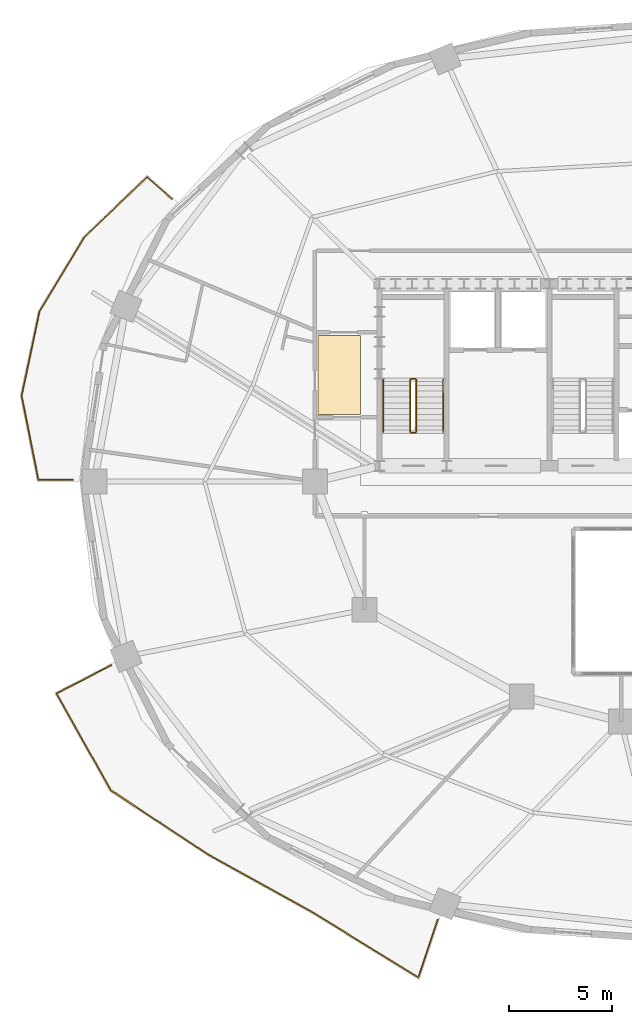
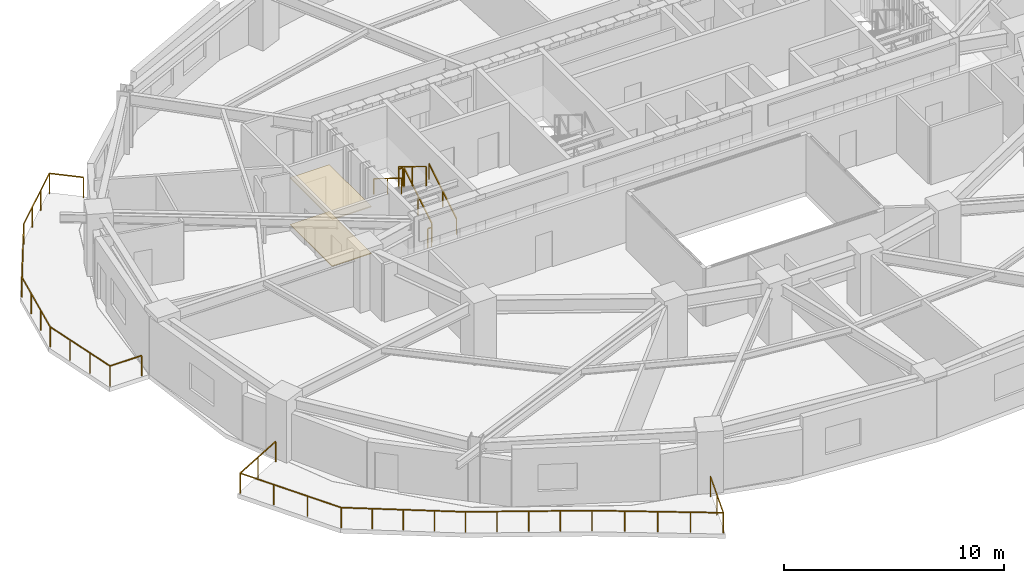
# One storey, part 10 of 13: 8 railings, 2 coverings.
"""IFC4 building model written with IfcOpenShell, lengths in metres."""

import ifcopenshell
import ifcopenshell.guid

model = None  # the IFC model being written
_history = None  # IfcOwnerHistory: only IFC2X3 demands one
_inside = {}  # id of a spatial element -> (the spatial element, [elements in it])
_under = {}  # id of a project, library or spatial element -> (it, [spatial elements below it])
_declared = {}  # id of a project -> (the project, [libraries it declares])
_typed = {}  # id of a type object -> (the type object, [elements of that type])
_made_of = {}  # id of a material, layer set ... -> (it, [elements and type objects made of it])


def new_model(schema):
    """Start an empty IFC model of exactly this schema.

    Asked for "IFC4X3", IfcOpenShell would pick the latest addendum, in which some entities
    have other attributes; the version numbers below select the first issue.
    IFC2X3 requires an IfcOwnerHistory on every rooted entity: one is made here for all.
    """
    global model, _history
    if schema == "IFC4X3":
        model = ifcopenshell.file(schema_version=(4, 3, 0, 0))
    else:
        model = ifcopenshell.file(schema=schema)
    _inside.clear()
    _under.clear()
    _declared.clear()
    _typed.clear()
    _made_of.clear()
    _history = None
    if model.schema == "IFC2X3":
        org = make("IfcOrganization", Name="unknown")
        user = make(
            "IfcPersonAndOrganization",
            ThePerson=make("IfcPerson", FamilyName="unknown"),
            TheOrganization=org,
        )
        app = make(
            "IfcApplication",
            ApplicationDeveloper=org,
            Version="unknown",
            ApplicationFullName="unknown",
            ApplicationIdentifier="unknown",
        )
        _history = make(
            "IfcOwnerHistory",
            OwningUser=user,
            OwningApplication=app,
            ChangeAction="ADDED",
            CreationDate=0,
        )
    return model


def make(cls, **values):
    """One entity of the class cls with the attributes given. An attribute that is None is left unset."""
    return model.create_entity(
        cls, **{name: value for name, value in values.items() if value is not None}
    )


def rooted(cls, **values):
    """An entity with a GlobalId (a new one), such as an element, a storey or a relation."""
    return make(cls, GlobalId=ifcopenshell.guid.new(), OwnerHistory=_history, **values)


def si_unit(unit_type, name, prefix=None):
    """IfcSIUnit, for example si_unit("LENGTHUNIT", "METRE", prefix="MILLI")."""
    return make("IfcSIUnit", UnitType=unit_type, Prefix=prefix, Name=name)


def assignment(units):
    """IfcUnitAssignment: the units of a project."""
    return None if units is None else make("IfcUnitAssignment", Units=units)


def point(xyz):
    """IfcCartesianPoint."""
    return None if xyz is None else make("IfcCartesianPoint", Coordinates=xyz)


def direction(xyz):
    """IfcDirection."""
    return None if xyz is None else make("IfcDirection", DirectionRatios=xyz)


def frame(location, z_axis=None, x_axis=None):
    """IfcAxis2Placement3D, a coordinate frame: its origin and axes. An axis left out is left unset."""
    return make(
        "IfcAxis2Placement3D",
        Location=point(location),
        Axis=direction(z_axis),
        RefDirection=direction(x_axis),
    )


def frame_2d(location, x_axis=None):
    """IfcAxis2Placement2D, a coordinate frame in the plane: its origin and x axis."""
    return make(
        "IfcAxis2Placement2D", Location=point(location), RefDirection=direction(x_axis)
    )


def origin():
    """The frame at (0, 0, 0) with its axes left unset."""
    return frame((0.0, 0.0, 0.0))


def origin_2d():
    """The frame at (0, 0) in the plane with its x axis left unset."""
    return frame_2d((0.0, 0.0))


def place(relative_to, where):
    """IfcLocalPlacement: puts the frame where relative to a parent placement (None: the world)."""
    return make(
        "IfcLocalPlacement", PlacementRelTo=relative_to, RelativePlacement=where
    )


def context(
    kind, dimensions, precision=None, world=None, true_north=None, identifier=None
):
    """IfcGeometricRepresentationContext, for example the 3D "Model" context."""
    return make(
        "IfcGeometricRepresentationContext",
        ContextIdentifier=identifier,
        ContextType=kind,
        CoordinateSpaceDimension=dimensions,
        Precision=precision,
        WorldCoordinateSystem=world,
        TrueNorth=true_north,
    )


def subcontext(parent, identifier, kind, view, scale=None):
    """IfcGeometricRepresentationSubContext, for example "Body" below "Model"."""
    return make(
        "IfcGeometricRepresentationSubContext",
        ContextIdentifier=identifier,
        ContextType=kind,
        ParentContext=parent,
        TargetScale=scale,
        TargetView=view,
    )


def project(units=None, contexts=None):
    """IfcProject with its units and contexts."""
    return rooted(
        "IfcProject",
        Name="project",
        RepresentationContexts=contexts,
        UnitsInContext=assignment(units),
    )


def spatial(cls, under=None, at=None, **own):
    """A site, building, storey or space (cls), placed at a placement, below another one or the project."""
    s = rooted(cls, ObjectPlacement=at, **own)
    if under is not None:
        _under.setdefault(under.id(), (under, []))[1].append(s)
    return s


def polyline(points):
    """IfcPolyline through the points."""
    return make("IfcPolyline", Points=[point(p) for p in points])


def profile(cls, at=None, kind="AREA", **sizes):
    """A parametric profile (cls). Its sizes go by their IFC names, for example OverallWidth=200.0."""
    return make(cls, ProfileType=kind, Position=at, **sizes)


def rectangle(**sizes):
    """IfcRectangleProfileDef."""
    return profile("IfcRectangleProfileDef", **sizes)


def outline(outer, holes=None, kind="AREA"):
    """IfcArbitraryClosedProfileDef: a profile drawn as a closed curve; with holes, ...WithVoids."""
    if holes is None:
        return make("IfcArbitraryClosedProfileDef", ProfileType=kind, OuterCurve=outer)
    return make(
        "IfcArbitraryProfileDefWithVoids",
        ProfileType=kind,
        OuterCurve=outer,
        InnerCurves=holes,
    )


def extrude(swept, where, along, depth):
    """IfcExtrudedAreaSolid: the profile swept, set in the frame where, extruded along a direction by depth."""
    return make(
        "IfcExtrudedAreaSolid",
        SweptArea=swept,
        Position=where,
        ExtrudedDirection=direction(along),
        Depth=depth,
    )


def shape(context_of_items, identifier, shape_type, items):
    """IfcShapeRepresentation: the items that make up one representation, for example the "Body"."""
    return make(
        "IfcShapeRepresentation",
        ContextOfItems=context_of_items,
        RepresentationIdentifier=identifier,
        RepresentationType=shape_type,
        Items=items,
    )


def material(Name=None, Category=None):
    """IfcMaterial."""
    return make("IfcMaterial", Name=Name, Category=Category)


def layer(
    of_material, thickness, ventilated=None, Name=None, Category=None, Priority=None
):
    """IfcMaterialLayer: one layer of a wall or slab, of a material (None: an air gap)."""
    return make(
        "IfcMaterialLayer",
        Material=of_material,
        LayerThickness=thickness,
        IsVentilated=ventilated,
        Name=Name,
        Category=Category,
        Priority=Priority,
    )


def layer_set(layers, Name=None):
    """IfcMaterialLayerSet."""
    return make("IfcMaterialLayerSet", MaterialLayers=layers, LayerSetName=Name)


def made_of(thing, what):
    """Note that an element or type object is made of a material, layer set ...; save() writes the relation."""
    if what is not None:
        _made_of.setdefault(what.id(), (what, []))[1].append(thing)
    return thing


def type_object(cls, material=None, **own):
    """A type object (cls), such as IfcWallType, which elements share."""
    return made_of(rooted(cls, **own), material)


def element(
    cls,
    number,
    at=None,
    inside=None,
    cuts=None,
    type_object=None,
    material=None,
    context=None,
    identifier="Body",
    shape_type=None,
    held_by="IfcProductDefinitionShape",
    body=None,
    shapes=None,
    **own,
):
    """One element of the class cls, such as IfcWall. Its Tag is "e" and its number.

    at: its placement. inside: the storey or other place that contains it. cuts: it is an
    opening in that element (IfcRelVoidsElement). A single representation is given by context,
    identifier, shape_type and body (its items); several are given by shapes. held_by: the class
    of the entity that holds the representations. save() writes the other relations.
    """
    e = rooted(cls, Tag="e%d" % number, ObjectPlacement=at, **own)
    if body is not None:
        shapes = [shape(context, identifier, shape_type, body)]
    if shapes is not None:
        e.Representation = make(held_by, Representations=shapes)
    if inside is not None:
        _inside.setdefault(inside.id(), (inside, []))[1].append(e)
    if cuts is not None:
        rooted(
            "IfcRelVoidsElement", RelatingBuildingElement=cuts, RelatedOpeningElement=e
        )
    if type_object is not None:
        _typed.setdefault(type_object.id(), (type_object, []))[1].append(e)
    return made_of(e, material)


def aggregate(whole, parts):
    """IfcRelAggregates: a whole, such as a stair, and the parts it consists of."""
    return rooted("IfcRelAggregates", RelatingObject=whole, RelatedObjects=parts)


def save(model, path):
    """Write the relations noted so far, then the file.

    IfcRelAggregates (storeys below a building ...), IfcRelContainedInSpatialStructure (elements
    in a storey), IfcRelDefinesByType, IfcRelAssociatesMaterial and IfcRelDeclares: one each for
    every whole, place, type object, material and project.
    """
    for whole, parts in _under.values():
        aggregate(whole, parts)
    for where, things in _inside.values():
        rooted(
            "IfcRelContainedInSpatialStructure",
            RelatedElements=things,
            RelatingStructure=where,
        )
    for kind, things in _typed.values():
        rooted("IfcRelDefinesByType", RelatedObjects=things, RelatingType=kind)
    for what, things in _made_of.values():
        rooted("IfcRelAssociatesMaterial", RelatedObjects=things, RelatingMaterial=what)
    for by, libraries in _declared.values():
        rooted("IfcRelDeclares", RelatingContext=by, RelatedDefinitions=libraries)
    model.write(path)


model = new_model("IFC4")

# Units and contexts
model_context = context("Model", 3, precision=1e-05, world=origin(), true_north=direction((0.0, 1.0)))
body_context = subcontext(model_context, "Body", "Model", "MODEL_VIEW")
ifc_project = project(units=[si_unit("LENGTHUNIT", "METRE"), si_unit("AREAUNIT", "SQUARE_METRE"), si_unit("VOLUMEUNIT", "CUBIC_METRE"), si_unit("PLANEANGLEUNIT", "RADIAN"), si_unit("MASSUNIT", "GRAM", prefix="KILO")], contexts=[model_context])

# Site, building, storey
site_placement = place(None, origin())
site = spatial("IfcSite", under=ifc_project, at=site_placement, CompositionType="ELEMENT")
building_placement = place(site_placement, origin())
building = spatial("IfcBuilding", under=site, at=building_placement, Name="Haldorwick Loom Tower", CompositionType="ELEMENT")
storey_placement = place(building_placement, frame((0.0, 0.0, 124.25)))
storey = spatial("IfcBuildingStorey", under=building, at=storey_placement, Name="L33", CompositionType="ELEMENT", Elevation=124.25)

# Coverings
ifc_material_1 = material(Name="Mineral Fibre Acoustic Ceiling Tile")
ifc_layer_1 = layer(ifc_material_1, 0.054931640625, Name="Mineral Fibre Acoustic Ceiling Tile")
ifc_layer_set_1 = layer_set([ifc_layer_1], Name="Mineral Fibre Acoustic Ceiling Tile")
covering_type_1 = type_object("IfcCoveringType", Name="ARC-COV-CEIL2", PredefinedType="CEILING", material=ifc_layer_set_1)
covering_1_placement = place(storey_placement, frame((0.0, 0.0, 2.594970703125)))
element("IfcCovering", 1, at=covering_1_placement, inside=storey, type_object=covering_type_1, Name="L33 Acoustic Suspended Ceiling 2", PredefinedType="CEILING", context=body_context, shape_type="SweptSolid", body=[
    extrude(outline(polyline([(21.0, 29.239990234375), (21.0, 33.06005859375), (18.93994140625, 33.06005859375), (18.93994140625, 29.239990234375), (21.0, 29.239990234375)])), origin(), (0.0, 0.0, 1.0), 0.054931640625),
])
ifc_material_2 = material(Name="Polished Aggregate Terrazzo Finish")
ifc_layer_2 = layer(ifc_material_2, 0.044921875, Name="Polished Aggregate Terrazzo Finish")
ifc_layer_set_2 = layer_set([ifc_layer_2], Name="Polished Aggregate Terrazzo Finish")
covering_type_2 = type_object("IfcCoveringType", Name="ARC-COV-FLOOR2", PredefinedType="FLOORING", material=ifc_layer_set_2)
covering_2_placement = place(storey_placement, origin())
element("IfcCovering", 2, at=covering_2_placement, inside=storey, type_object=covering_type_2, Name="L33 Floor Finish 2", PredefinedType="FLOORING", context=body_context, shape_type="SweptSolid", body=[
    extrude(outline(polyline([(21.0, 29.239990234375), (21.0, 33.06005859375), (18.93994140625, 33.06005859375), (18.93994140625, 29.239990234375), (21.0, 29.239990234375)])), origin(), (0.0, 0.0, 1.0), 0.044921875),
])

# Railings
ifc_material_3 = material(Name="Galvanized Steel CSA G40.21 350W", Category="steel")
railing_type_1 = type_object("IfcRailingType", Name="ARC-RLG-BAL115", PredefinedType="BALUSTRADE", material=ifc_material_3)
railing_1_placement = place(storey_placement, frame((24.729248046875, 4.805908203125, 0.0)))
element("IfcRailing", 3, at=railing_1_placement, inside=storey, type_object=railing_type_1, Name="L33 Outdoor Terrace Guardrail SLB-L33-BAL_SW-1", PredefinedType="BALUSTRADE", context=body_context, shape_type="SweptSolid", body=[
    extrude(rectangle(XDim=0.048095703125, YDim=0.048095703125, at=origin_2d()), frame((0.0, 0.0, 1.1259765625), z_axis=(-0.316552288503, -0.948575062208, 0.0), x_axis=(0.948575062208, -0.316552288503, 0.0)), (0.0, 0.0, 1.0), 2.933837890625),
    extrude(rectangle(XDim=0.048095703125, YDim=0.048095703125, at=origin_2d()), frame((-0.9287109375, -2.782958984375, 1.1259765625), z_axis=(-0.851115893252, 0.524977843583, 0.0), x_axis=(-0.524977843583, -0.851115893252, 0.0)), (0.0, 0.0, 1.0), 5.985595703125),
    extrude(rectangle(XDim=0.048095703125, YDim=0.048095703125, at=origin_2d()), frame((-6.023193359375, 0.359375, 1.1259765625), z_axis=(-0.851658316705, 0.524097425664, 0.0), x_axis=(-0.524097425664, -0.851658316705, 0.0)), (0.0, 0.0, 1.0), 0.003662109375),
    extrude(rectangle(XDim=0.048095703125, YDim=0.048095703125, at=origin_2d()), frame((-6.0263671875, 0.361328125, 1.1259765625), z_axis=(-0.874686586393, 0.484688947248, 0.0), x_axis=(-0.484688947248, -0.874686586393, 0.0)), (0.0, 0.0, 1.0), 5.759765625),
    extrude(rectangle(XDim=0.048095703125, YDim=0.048095703125, at=origin_2d()), frame((-11.064453125, 3.153076171875, 1.1259765625), z_axis=(-0.834770993898, 0.550597300889, 0.0), x_axis=(-0.550597300889, -0.834770993898, 0.0)), (0.0, 0.0, 1.0), 5.666748046875),
    extrude(rectangle(XDim=0.048095703125, YDim=0.048095703125, at=origin_2d()), frame((-15.794921875, 6.273193359375, 1.1259765625), z_axis=(-0.489113033914, 0.872220407956, 0.0), x_axis=(-0.872220407956, -0.489113033914, 0.0)), (0.0, 0.0, 1.0), 5.352294921875),
    extrude(rectangle(XDim=0.048095703125, YDim=0.048095703125, at=origin_2d()), frame((-18.412841796875, 10.941650390625, 1.1259765625), z_axis=(0.888537984145, 0.458803063124, 0.0), x_axis=(-0.458803063124, 0.888537984145, 0.0)), (0.0, 0.0, 1.0), 2.989990234375),
    extrude(rectangle(XDim=0.0419921875, YDim=0.0419921875, at=origin_2d()), origin(), (0.0, 0.0, 1.0), 1.101806640625),
    extrude(rectangle(XDim=0.0419921875, YDim=0.0419921875, at=origin_2d()), frame((-0.46435546875, -1.3916015625, 0.0)), (0.0, 0.0, 1.0), 1.101806640625),
    extrude(rectangle(XDim=0.0419921875, YDim=0.0419921875, at=origin_2d()), frame((-0.9287109375, -2.782958984375, 0.0)), (0.0, 0.0, 1.0), 1.101806640625),
    extrude(rectangle(XDim=0.0419921875, YDim=0.0419921875, at=origin_2d()), frame((-2.202392578125, -1.997314453125, 0.0)), (0.0, 0.0, 1.0), 1.101806640625),
    extrude(rectangle(XDim=0.0419921875, YDim=0.0419921875, at=origin_2d()), frame((-3.47607421875, -1.2119140625, 0.0)), (0.0, 0.0, 1.0), 1.101806640625),
    extrude(rectangle(XDim=0.0419921875, YDim=0.0419921875, at=origin_2d()), frame((-4.74951171875, -0.42626953125, 0.0)), (0.0, 0.0, 1.0), 1.101806640625),
    extrude(rectangle(XDim=0.0419921875, YDim=0.0419921875, at=origin_2d()), frame((-6.023193359375, 0.359375, 0.0)), (0.0, 0.0, 1.0), 1.101806640625),
    extrude(rectangle(XDim=0.0419921875, YDim=0.0419921875, at=origin_2d()), frame((-7.285888671875, 1.059326171875, 0.0)), (0.0, 0.0, 1.0), 1.101806640625),
    extrude(rectangle(XDim=0.0419921875, YDim=0.0419921875, at=origin_2d()), frame((-8.54541015625, 1.75732421875, 0.0)), (0.0, 0.0, 1.0), 1.101806640625),
    extrude(rectangle(XDim=0.0419921875, YDim=0.0419921875, at=origin_2d()), frame((-9.804931640625, 2.455078125, 0.0)), (0.0, 0.0, 1.0), 1.101806640625),
    extrude(rectangle(XDim=0.0419921875, YDim=0.0419921875, at=origin_2d()), frame((-11.064453125, 3.153076171875, 0.0)), (0.0, 0.0, 1.0), 1.101806640625),
    extrude(rectangle(XDim=0.0419921875, YDim=0.0419921875, at=origin_2d()), frame((-12.2470703125, 3.93310546875, 0.0)), (0.0, 0.0, 1.0), 1.101806640625),
    extrude(rectangle(XDim=0.0419921875, YDim=0.0419921875, at=origin_2d()), frame((-13.4296875, 4.713134765625, 0.0)), (0.0, 0.0, 1.0), 1.101806640625),
    extrude(rectangle(XDim=0.0419921875, YDim=0.0419921875, at=origin_2d()), frame((-14.6123046875, 5.4931640625, 0.0)), (0.0, 0.0, 1.0), 1.101806640625),
    extrude(rectangle(XDim=0.0419921875, YDim=0.0419921875, at=origin_2d()), frame((-15.794921875, 6.273193359375, 0.0)), (0.0, 0.0, 1.0), 1.101806640625),
    extrude(rectangle(XDim=0.0419921875, YDim=0.0419921875, at=origin_2d()), frame((-16.66748046875, 7.829345703125, 0.0)), (0.0, 0.0, 1.0), 1.101806640625),
    extrude(rectangle(XDim=0.0419921875, YDim=0.0419921875, at=origin_2d()), frame((-17.540283203125, 9.385498046875, 0.0)), (0.0, 0.0, 1.0), 1.101806640625),
    extrude(rectangle(XDim=0.0419921875, YDim=0.0419921875, at=origin_2d()), frame((-18.412841796875, 10.941650390625, 0.0)), (0.0, 0.0, 1.0), 1.101806640625),
    extrude(rectangle(XDim=0.0419921875, YDim=0.0419921875, at=origin_2d()), frame((-17.08447265625, 11.62744140625, 0.0)), (0.0, 0.0, 1.0), 1.101806640625),
    extrude(rectangle(XDim=0.0419921875, YDim=0.0419921875, at=origin_2d()), frame((-15.756103515625, 12.3134765625, 0.0)), (0.0, 0.0, 1.0), 1.101806640625),
])
railing_2_placement = place(storey_placement, frame((7.09912109375, 26.080078125, 0.0)))
element("IfcRailing", 4, at=railing_2_placement, inside=storey, type_object=railing_type_1, Name="L33 Outdoor Terrace Guardrail SLB-L33-BAL_WNW-1", PredefinedType="BALUSTRADE", context=body_context, shape_type="SweptSolid", body=[
    extrude(rectangle(XDim=0.048095703125, YDim=0.048095703125, at=origin_2d()), frame((0.0, 0.0, 1.1259765625), z_axis=(-1.0, 0.0, 0.0), x_axis=(0.0, -1.0, 0.0)), (0.0, 0.0, 1.0), 1.66259765625),
    extrude(rectangle(XDim=0.048095703125, YDim=0.048095703125, at=origin_2d()), frame((-1.66259765625, 0.0, 1.1259765625), z_axis=(-0.19502627882, 0.980798017213, 0.0), x_axis=(-0.980798017213, -0.19502627882, 0.0)), (0.0, 0.0, 1.0), 4.135986328125),
    extrude(rectangle(XDim=0.048095703125, YDim=0.048095703125, at=origin_2d()), frame((-2.46923828125, 4.056640625, 1.1259765625), z_axis=(0.206957513397, 0.978349931082, 0.0), x_axis=(-0.978349931082, 0.206957513397, 0.0)), (0.0, 0.0, 1.0), 4.170166015625),
    extrude(rectangle(XDim=0.048095703125, YDim=0.048095703125, at=origin_2d()), frame((-1.606201171875, 8.136474609375, 1.1259765625), z_axis=(0.517716428266, 0.855552277715, 0.0), x_axis=(-0.855552277715, 0.517716428266, 0.0)), (0.0, 0.0, 1.0), 4.197998046875),
    extrude(rectangle(XDim=0.048095703125, YDim=0.048095703125, at=origin_2d()), frame((0.567138671875, 11.72802734375, 1.1259765625), z_axis=(0.722314199748, 0.691565034428, 0.0), x_axis=(-0.691565034428, 0.722314199748, 0.0)), (0.0, 0.0, 1.0), 4.192138671875),
    extrude(rectangle(XDim=0.048095703125, YDim=0.048095703125, at=origin_2d()), frame((3.59521484375, 14.627197265625, 1.1259765625), z_axis=(0.747994580098, -0.663704835107, 0.0), x_axis=(0.663704835107, 0.747994580098, 0.0)), (0.0, 0.0, 1.0), 1.587158203125),
    extrude(rectangle(XDim=0.0419921875, YDim=0.0419921875, at=origin_2d()), origin(), (0.0, 0.0, 1.0), 1.101806640625),
    extrude(rectangle(XDim=0.0419921875, YDim=0.0419921875, at=origin_2d()), frame((-1.66259765625, 0.0, 0.0)), (0.0, 0.0, 1.0), 1.101806640625),
    extrude(rectangle(XDim=0.0419921875, YDim=0.0419921875, at=origin_2d()), frame((-1.931396484375, 1.352294921875, 0.0)), (0.0, 0.0, 1.0), 1.101806640625),
    extrude(rectangle(XDim=0.0419921875, YDim=0.0419921875, at=origin_2d()), frame((-2.200439453125, 2.704345703125, 0.0)), (0.0, 0.0, 1.0), 1.101806640625),
    extrude(rectangle(XDim=0.0419921875, YDim=0.0419921875, at=origin_2d()), frame((-2.46923828125, 4.056640625, 0.0)), (0.0, 0.0, 1.0), 1.101806640625),
    extrude(rectangle(XDim=0.0419921875, YDim=0.0419921875, at=origin_2d()), frame((-2.181640625, 5.41650390625, 0.0)), (0.0, 0.0, 1.0), 1.101806640625),
    extrude(rectangle(XDim=0.0419921875, YDim=0.0419921875, at=origin_2d()), frame((-1.893798828125, 6.776611328125, 0.0)), (0.0, 0.0, 1.0), 1.101806640625),
    extrude(rectangle(XDim=0.0419921875, YDim=0.0419921875, at=origin_2d()), frame((-1.606201171875, 8.136474609375, 0.0)), (0.0, 0.0, 1.0), 1.101806640625),
    extrude(rectangle(XDim=0.0419921875, YDim=0.0419921875, at=origin_2d()), frame((-0.8818359375, 9.333740234375, 0.0)), (0.0, 0.0, 1.0), 1.101806640625),
    extrude(rectangle(XDim=0.0419921875, YDim=0.0419921875, at=origin_2d()), frame((-0.1572265625, 10.53076171875, 0.0)), (0.0, 0.0, 1.0), 1.101806640625),
    extrude(rectangle(XDim=0.0419921875, YDim=0.0419921875, at=origin_2d()), frame((0.567138671875, 11.72802734375, 0.0)), (0.0, 0.0, 1.0), 1.101806640625),
    extrude(rectangle(XDim=0.0419921875, YDim=0.0419921875, at=origin_2d()), frame((1.576416015625, 12.6943359375, 0.0)), (0.0, 0.0, 1.0), 1.101806640625),
    extrude(rectangle(XDim=0.0419921875, YDim=0.0419921875, at=origin_2d()), frame((2.5859375, 13.660888671875, 0.0)), (0.0, 0.0, 1.0), 1.101806640625),
    extrude(rectangle(XDim=0.0419921875, YDim=0.0419921875, at=origin_2d()), frame((3.59521484375, 14.627197265625, 0.0)), (0.0, 0.0, 1.0), 1.101806640625),
    extrude(rectangle(XDim=0.0419921875, YDim=0.0419921875, at=origin_2d()), frame((4.782470703125, 13.57373046875, 0.0)), (0.0, 0.0, 1.0), 1.101806640625),
])
ifc_material_4 = material(Name="Steel CSA G40.21 350W", Category="steel")
railing_type_2 = type_object("IfcRailingType", Name="ARC-RLG-GUARD112", PredefinedType="GUARDRAIL", material=ifc_material_4)
railing_3_placement = place(storey_placement, frame((23.699951171875, 28.39990234375, 0.172607421875)))
element("IfcRailing", 5, at=railing_3_placement, inside=storey, type_object=railing_type_2, Name="L33 ST-01 stair guard 1", PredefinedType="GUARDRAIL", context=body_context, shape_type="SweptSolid", body=[
    extrude(rectangle(XDim=0.048095703125, YDim=0.048095703125, at=origin_2d()), frame((0.0, 0.0, 1.076171875), z_axis=(0.0, 0.851400495292, 0.524516154772), x_axis=(-1.0, 0.0, 0.0)), (0.0, 0.0, 1.0), 2.9599609375),
    extrude(rectangle(XDim=0.0419921875, YDim=0.0419921875, at=origin_2d()), origin(), (0.0, 0.0, 1.0), 1.052001953125),
    extrude(rectangle(XDim=0.0419921875, YDim=0.0419921875, at=origin_2d()), frame((0.0, 1.260009765625, 0.7763671875)), (0.0, 0.0, 1.0), 1.052001953125),
    extrude(rectangle(XDim=0.0419921875, YDim=0.0419921875, at=origin_2d()), frame((0.0, 2.52001953125, 1.552490234375)), (0.0, 0.0, 1.0), 1.052001953125),
])
railing_4_placement = place(storey_placement, frame((23.64990234375, 30.969970703125, 1.72509765625)))
element("IfcRailing", 6, at=railing_4_placement, inside=storey, type_object=railing_type_2, Name="L33 ST-01 stair guard 2", PredefinedType="GUARDRAIL", context=body_context, shape_type="SweptSolid", body=[
    extrude(rectangle(XDim=0.048095703125, YDim=0.048095703125, at=origin_2d()), frame((0.0, 0.0, 1.076171875), z_axis=(-1.0, 0.0, 0.0), x_axis=(0.0, -1.0, 0.0)), (0.0, 0.0, 1.0), 0.199951171875),
    extrude(rectangle(XDim=0.0419921875, YDim=0.0419921875, at=origin_2d()), origin(), (0.0, 0.0, 1.0), 1.052001953125),
    extrude(rectangle(XDim=0.0419921875, YDim=0.0419921875, at=origin_2d()), frame((-0.199951171875, 0.0, 0.0)), (0.0, 0.0, 1.0), 1.052001953125),
])
railing_5_placement = place(storey_placement, frame((23.39990234375, 30.919921875, 1.8974609375)))
element("IfcRailing", 7, at=railing_5_placement, inside=storey, type_object=railing_type_2, Name="L33 ST-01 stair guard 3", PredefinedType="GUARDRAIL", context=body_context, shape_type="SweptSolid", body=[
    extrude(rectangle(XDim=0.048095703125, YDim=0.048095703125, at=origin_2d()), frame((0.0, 0.0, 1.076171875), z_axis=(0.0, -0.851400495292, 0.524516154772), x_axis=(1.0, 0.0, 0.0)), (0.0, 0.0, 1.0), 2.9599609375),
    extrude(rectangle(XDim=0.0419921875, YDim=0.0419921875, at=origin_2d()), origin(), (0.0, 0.0, 1.0), 1.052001953125),
    extrude(rectangle(XDim=0.0419921875, YDim=0.0419921875, at=origin_2d()), frame((0.0, -1.260009765625, 0.7763671875)), (0.0, 0.0, 1.0), 1.052001953125),
    extrude(rectangle(XDim=0.0419921875, YDim=0.0419921875, at=origin_2d()), frame((0.0, -2.52001953125, 1.552490234375)), (0.0, 0.0, 1.0), 1.052001953125),
])
railing_6_placement = place(storey_placement, frame((23.64990234375, 28.35009765625, 0.0)))
element("IfcRailing", 8, at=railing_6_placement, inside=storey, type_object=railing_type_2, Name="L33 ST-01 stair guard 4", PredefinedType="GUARDRAIL", context=body_context, shape_type="SweptSolid", body=[
    extrude(rectangle(XDim=0.048095703125, YDim=0.048095703125, at=origin_2d()), frame((0.0, 0.0, 1.076171875), z_axis=(-1.0, 0.0, 0.0), x_axis=(0.0, -1.0, 0.0)), (0.0, 0.0, 1.0), 0.199951171875),
    extrude(rectangle(XDim=0.0419921875, YDim=0.0419921875, at=origin_2d()), origin(), (0.0, 0.0, 1.0), 1.052001953125),
    extrude(rectangle(XDim=0.0419921875, YDim=0.0419921875, at=origin_2d()), frame((-0.199951171875, 0.0, 0.0)), (0.0, 0.0, 1.0), 1.052001953125),
])
railing_type_3 = type_object("IfcRailingType", Name="ARC-RLG-HAND092", PredefinedType="HANDRAIL", material=ifc_material_4)
railing_7_placement = place(storey_placement, frame((25.0, 28.39990234375, 0.172607421875)))
element("IfcRailing", 9, at=railing_7_placement, inside=storey, type_object=railing_type_3, Name="L33 ST-01 stair handrail 1", PredefinedType="HANDRAIL", context=body_context, shape_type="SweptSolid", body=[
    extrude(rectangle(XDim=0.048095703125, YDim=0.048095703125, at=origin_2d()), frame((0.0, 0.0, 0.8759765625), z_axis=(0.0, 0.851400495292, 0.524516154772), x_axis=(-1.0, 0.0, 0.0)), (0.0, 0.0, 1.0), 2.9599609375),
    extrude(rectangle(XDim=0.0419921875, YDim=0.0419921875, at=origin_2d()), origin(), (0.0, 0.0, 1.0), 0.851806640625),
    extrude(rectangle(XDim=0.0419921875, YDim=0.0419921875, at=origin_2d()), frame((0.0, 1.260009765625, 0.7763671875)), (0.0, 0.0, 1.0), 0.851806640625),
    extrude(rectangle(XDim=0.0419921875, YDim=0.0419921875, at=origin_2d()), frame((0.0, 2.52001953125, 1.552490234375)), (0.0, 0.0, 1.0), 0.851806640625),
])
railing_8_placement = place(storey_placement, frame((22.10009765625, 30.919921875, 1.8974609375)))
element("IfcRailing", 10, at=railing_8_placement, inside=storey, type_object=railing_type_3, Name="L33 ST-01 stair handrail 2", PredefinedType="HANDRAIL", context=body_context, shape_type="SweptSolid", body=[
    extrude(rectangle(XDim=0.048095703125, YDim=0.048095703125, at=origin_2d()), frame((0.0, 0.0, 0.8759765625), z_axis=(0.0, -0.851400495292, 0.524516154772), x_axis=(1.0, 0.0, 0.0)), (0.0, 0.0, 1.0), 2.9599609375),
    extrude(rectangle(XDim=0.0419921875, YDim=0.0419921875, at=origin_2d()), origin(), (0.0, 0.0, 1.0), 0.851806640625),
    extrude(rectangle(XDim=0.0419921875, YDim=0.0419921875, at=origin_2d()), frame((0.0, -1.260009765625, 0.7763671875)), (0.0, 0.0, 1.0), 0.851806640625),
    extrude(rectangle(XDim=0.0419921875, YDim=0.0419921875, at=origin_2d()), frame((0.0, -2.52001953125, 1.552490234375)), (0.0, 0.0, 1.0), 0.851806640625),
])

save(model, "model.ifc")
